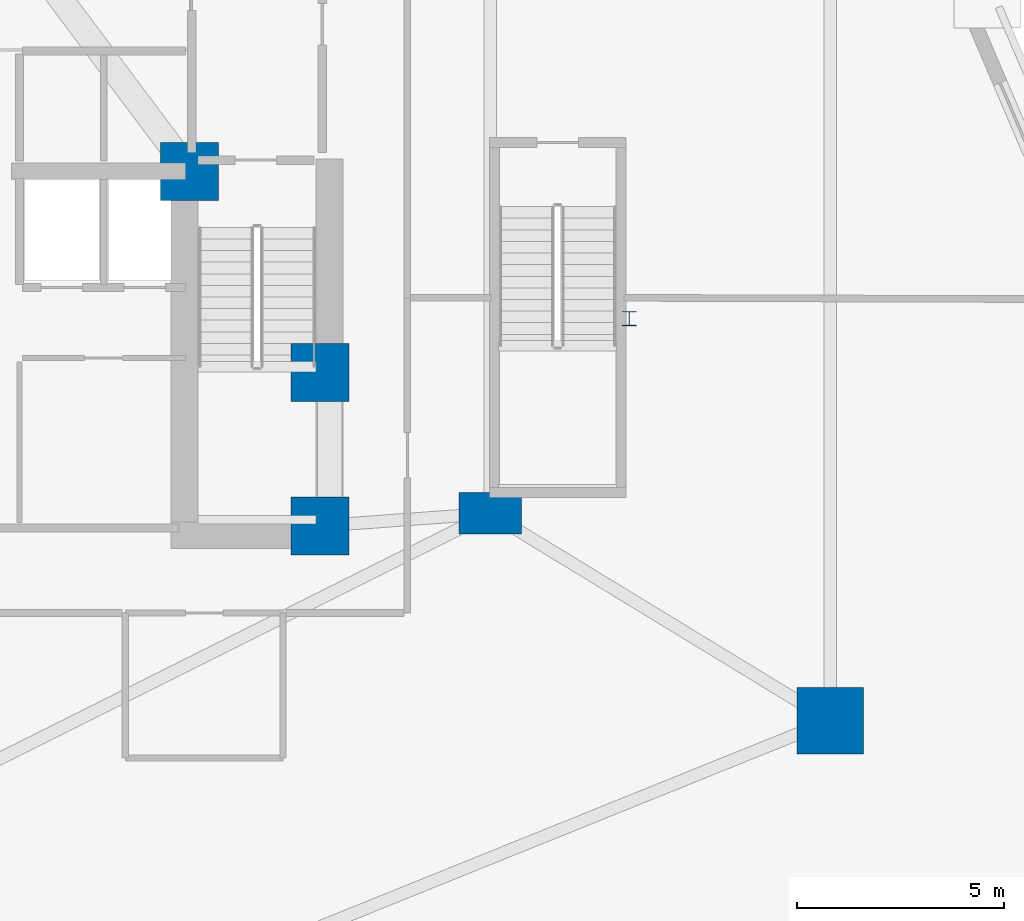
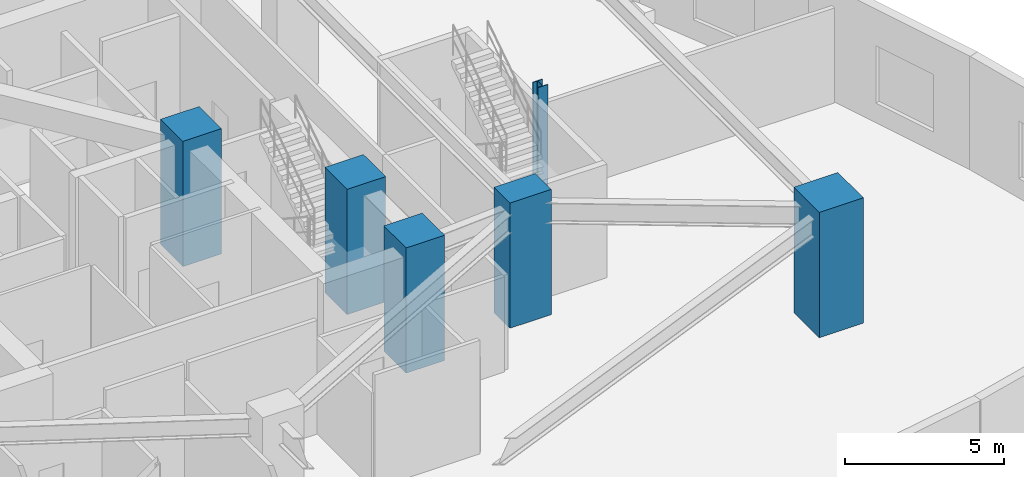
# One storey, part 2 of 19: 6 columns.
"""IFC4 building model written with IfcOpenShell, lengths in metres."""

import ifcopenshell
import ifcopenshell.guid

model = None  # the IFC model being written
_history = None  # IfcOwnerHistory: only IFC2X3 demands one
_inside = {}  # id of a spatial element -> (the spatial element, [elements in it])
_under = {}  # id of a project, library or spatial element -> (it, [spatial elements below it])
_declared = {}  # id of a project -> (the project, [libraries it declares])
_typed = {}  # id of a type object -> (the type object, [elements of that type])
_made_of = {}  # id of a material, layer set ... -> (it, [elements and type objects made of it])


def new_model(schema):
    """Start an empty IFC model of exactly this schema.

    Asked for "IFC4X3", IfcOpenShell would pick the latest addendum, in which some entities
    have other attributes; the version numbers below select the first issue.
    IFC2X3 requires an IfcOwnerHistory on every rooted entity: one is made here for all.
    """
    global model, _history
    if schema == "IFC4X3":
        model = ifcopenshell.file(schema_version=(4, 3, 0, 0))
    else:
        model = ifcopenshell.file(schema=schema)
    _inside.clear()
    _under.clear()
    _declared.clear()
    _typed.clear()
    _made_of.clear()
    _history = None
    if model.schema == "IFC2X3":
        org = make("IfcOrganization", Name="unknown")
        user = make(
            "IfcPersonAndOrganization",
            ThePerson=make("IfcPerson", FamilyName="unknown"),
            TheOrganization=org,
        )
        app = make(
            "IfcApplication",
            ApplicationDeveloper=org,
            Version="unknown",
            ApplicationFullName="unknown",
            ApplicationIdentifier="unknown",
        )
        _history = make(
            "IfcOwnerHistory",
            OwningUser=user,
            OwningApplication=app,
            ChangeAction="ADDED",
            CreationDate=0,
        )
    return model


def make(cls, **values):
    """One entity of the class cls with the attributes given. An attribute that is None is left unset."""
    return model.create_entity(
        cls, **{name: value for name, value in values.items() if value is not None}
    )


def rooted(cls, **values):
    """An entity with a GlobalId (a new one), such as an element, a storey or a relation."""
    return make(cls, GlobalId=ifcopenshell.guid.new(), OwnerHistory=_history, **values)


def si_unit(unit_type, name, prefix=None):
    """IfcSIUnit, for example si_unit("LENGTHUNIT", "METRE", prefix="MILLI")."""
    return make("IfcSIUnit", UnitType=unit_type, Prefix=prefix, Name=name)


def assignment(units):
    """IfcUnitAssignment: the units of a project."""
    return None if units is None else make("IfcUnitAssignment", Units=units)


def point(xyz):
    """IfcCartesianPoint."""
    return None if xyz is None else make("IfcCartesianPoint", Coordinates=xyz)


def direction(xyz):
    """IfcDirection."""
    return None if xyz is None else make("IfcDirection", DirectionRatios=xyz)


def frame(location, z_axis=None, x_axis=None):
    """IfcAxis2Placement3D, a coordinate frame: its origin and axes. An axis left out is left unset."""
    return make(
        "IfcAxis2Placement3D",
        Location=point(location),
        Axis=direction(z_axis),
        RefDirection=direction(x_axis),
    )


def frame_2d(location, x_axis=None):
    """IfcAxis2Placement2D, a coordinate frame in the plane: its origin and x axis."""
    return make(
        "IfcAxis2Placement2D", Location=point(location), RefDirection=direction(x_axis)
    )


def origin():
    """The frame at (0, 0, 0) with its axes left unset."""
    return frame((0.0, 0.0, 0.0))


def origin_2d():
    """The frame at (0, 0) in the plane with its x axis left unset."""
    return frame_2d((0.0, 0.0))


def place(relative_to, where):
    """IfcLocalPlacement: puts the frame where relative to a parent placement (None: the world)."""
    return make(
        "IfcLocalPlacement", PlacementRelTo=relative_to, RelativePlacement=where
    )


def context(
    kind, dimensions, precision=None, world=None, true_north=None, identifier=None
):
    """IfcGeometricRepresentationContext, for example the 3D "Model" context."""
    return make(
        "IfcGeometricRepresentationContext",
        ContextIdentifier=identifier,
        ContextType=kind,
        CoordinateSpaceDimension=dimensions,
        Precision=precision,
        WorldCoordinateSystem=world,
        TrueNorth=true_north,
    )


def subcontext(parent, identifier, kind, view, scale=None):
    """IfcGeometricRepresentationSubContext, for example "Body" below "Model"."""
    return make(
        "IfcGeometricRepresentationSubContext",
        ContextIdentifier=identifier,
        ContextType=kind,
        ParentContext=parent,
        TargetScale=scale,
        TargetView=view,
    )


def project(units=None, contexts=None):
    """IfcProject with its units and contexts."""
    return rooted(
        "IfcProject",
        Name="project",
        RepresentationContexts=contexts,
        UnitsInContext=assignment(units),
    )


def spatial(cls, under=None, at=None, **own):
    """A site, building, storey or space (cls), placed at a placement, below another one or the project."""
    s = rooted(cls, ObjectPlacement=at, **own)
    if under is not None:
        _under.setdefault(under.id(), (under, []))[1].append(s)
    return s


def profile(cls, at=None, kind="AREA", **sizes):
    """A parametric profile (cls). Its sizes go by their IFC names, for example OverallWidth=200.0."""
    return make(cls, ProfileType=kind, Position=at, **sizes)


def rectangle(**sizes):
    """IfcRectangleProfileDef."""
    return profile("IfcRectangleProfileDef", **sizes)


def i_section(**sizes):
    """IfcIShapeProfileDef."""
    return profile("IfcIShapeProfileDef", **sizes)


def extrude(swept, where, along, depth):
    """IfcExtrudedAreaSolid: the profile swept, set in the frame where, extruded along a direction by depth."""
    return make(
        "IfcExtrudedAreaSolid",
        SweptArea=swept,
        Position=where,
        ExtrudedDirection=direction(along),
        Depth=depth,
    )


def shape(context_of_items, identifier, shape_type, items):
    """IfcShapeRepresentation: the items that make up one representation, for example the "Body"."""
    return make(
        "IfcShapeRepresentation",
        ContextOfItems=context_of_items,
        RepresentationIdentifier=identifier,
        RepresentationType=shape_type,
        Items=items,
    )


def material(Name=None, Category=None):
    """IfcMaterial."""
    return make("IfcMaterial", Name=Name, Category=Category)


def material_profile(
    of_material, cross_section, Name=None, Category=None, Priority=None
):
    """IfcMaterialProfile: a cross section and its material."""
    return make(
        "IfcMaterialProfile",
        Name=Name,
        Material=of_material,
        Profile=cross_section,
        Priority=Priority,
        Category=Category,
    )


def profile_set(profiles, Name=None, composite=None):
    """IfcMaterialProfileSet."""
    return make(
        "IfcMaterialProfileSet",
        Name=Name,
        MaterialProfiles=profiles,
        CompositeProfile=composite,
    )


def made_of(thing, what):
    """Note that an element or type object is made of a material, layer set ...; save() writes the relation."""
    if what is not None:
        _made_of.setdefault(what.id(), (what, []))[1].append(thing)
    return thing


def type_object(cls, material=None, **own):
    """A type object (cls), such as IfcWallType, which elements share."""
    return made_of(rooted(cls, **own), material)


def element(
    cls,
    number,
    at=None,
    inside=None,
    cuts=None,
    type_object=None,
    material=None,
    context=None,
    identifier="Body",
    shape_type=None,
    held_by="IfcProductDefinitionShape",
    body=None,
    shapes=None,
    **own,
):
    """One element of the class cls, such as IfcWall. Its Tag is "e" and its number.

    at: its placement. inside: the storey or other place that contains it. cuts: it is an
    opening in that element (IfcRelVoidsElement). A single representation is given by context,
    identifier, shape_type and body (its items); several are given by shapes. held_by: the class
    of the entity that holds the representations. save() writes the other relations.
    """
    e = rooted(cls, Tag="e%d" % number, ObjectPlacement=at, **own)
    if body is not None:
        shapes = [shape(context, identifier, shape_type, body)]
    if shapes is not None:
        e.Representation = make(held_by, Representations=shapes)
    if inside is not None:
        _inside.setdefault(inside.id(), (inside, []))[1].append(e)
    if cuts is not None:
        rooted(
            "IfcRelVoidsElement", RelatingBuildingElement=cuts, RelatedOpeningElement=e
        )
    if type_object is not None:
        _typed.setdefault(type_object.id(), (type_object, []))[1].append(e)
    return made_of(e, material)


def aggregate(whole, parts):
    """IfcRelAggregates: a whole, such as a stair, and the parts it consists of."""
    return rooted("IfcRelAggregates", RelatingObject=whole, RelatedObjects=parts)


def save(model, path):
    """Write the relations noted so far, then the file.

    IfcRelAggregates (storeys below a building ...), IfcRelContainedInSpatialStructure (elements
    in a storey), IfcRelDefinesByType, IfcRelAssociatesMaterial and IfcRelDeclares: one each for
    every whole, place, type object, material and project.
    """
    for whole, parts in _under.values():
        aggregate(whole, parts)
    for where, things in _inside.values():
        rooted(
            "IfcRelContainedInSpatialStructure",
            RelatedElements=things,
            RelatingStructure=where,
        )
    for kind, things in _typed.values():
        rooted("IfcRelDefinesByType", RelatedObjects=things, RelatingType=kind)
    for what, things in _made_of.values():
        rooted("IfcRelAssociatesMaterial", RelatedObjects=things, RelatingMaterial=what)
    for by, libraries in _declared.values():
        rooted("IfcRelDeclares", RelatingContext=by, RelatedDefinitions=libraries)
    model.write(path)


model = new_model("IFC4")

# Units and contexts
model_context = context("Model", 3, precision=1e-05, world=origin(), true_north=direction((0.0, 1.0)))
body_context = subcontext(model_context, "Body", "Model", "MODEL_VIEW")
ifc_project = project(units=[si_unit("LENGTHUNIT", "METRE"), si_unit("AREAUNIT", "SQUARE_METRE"), si_unit("VOLUMEUNIT", "CUBIC_METRE"), si_unit("PLANEANGLEUNIT", "RADIAN"), si_unit("MASSUNIT", "GRAM", prefix="KILO")], contexts=[model_context])

# Site, building, storey
site_placement = place(None, origin())
site = spatial("IfcSite", under=ifc_project, at=site_placement, CompositionType="ELEMENT")
building_placement = place(site_placement, origin())
building = spatial("IfcBuilding", under=site, at=building_placement, Name="Miruveldt Soraemaru", CompositionType="ELEMENT")
storey_placement = place(building_placement, frame((0.0, 0.0, 19.199951171875)))
storey = spatial("IfcBuildingStorey", under=building, at=storey_placement, Name="L05", CompositionType="ELEMENT", Elevation=19.199951171875)

# Columns
ifc_material_1 = material(Name="Concrete C80/95 (80 MPa)", Category="concrete")
ifc_material_profile_1 = material_profile(ifc_material_1, rectangle(XDim=1.39990234375, YDim=1.39990234375, at=origin_2d()), Name="Concrete C80/95 (80 MPa)", Category="concrete")
ifc_profile_set_1 = profile_set([ifc_material_profile_1], Name="Concrete C80/95 (80 MPa)")
column_type_1 = type_object("IfcColumnType", Name="COL-MEGA-1400", PredefinedType="COLUMN", material=ifc_profile_set_1)
for number, where, z_axis, x_axis, name in (
    (1, (52.5, 35.5, 0.0), (0.0, 0.0, 1.0), (1.0, 0.0, 0.0), "L05 Structural Column CC3"),
    (2, (52.5, 39.199951171875, 0.0), (0.0, 0.0, 1.0), (1.0, 0.0, 0.0), "L05 Structural Column CC4"),
    (3, (49.35009765625, 44.050048828125, 0.0), (0.0, 0.0, 1.0), (1.0, 0.0, 0.0), "L05 Structural Column CC5"),
):
    element("IfcColumn", number, at=place(storey_placement, frame(where, z_axis=z_axis, x_axis=x_axis)), inside=storey, type_object=column_type_1, Name=name, PredefinedType="COLUMN", context=body_context, shape_type="SweptSolid", body=[
        extrude(rectangle(XDim=1.39990234375, YDim=1.39990234375, at=origin_2d()), origin(), (0.0, 0.0, 1.0), 4.800048828125),
    ])
ifc_material_profile_2 = material_profile(ifc_material_1, rectangle(XDim=1.60009765625, YDim=1.60009765625, at=origin_2d()), Name="Concrete C80/95 (80 MPa)", Category="concrete")
ifc_profile_set_2 = profile_set([ifc_material_profile_2], Name="Concrete C80/95 (80 MPa)")
column_type_2 = type_object("IfcColumnType", Name="COL-MEGA-1600", PredefinedType="COLUMN", material=ifc_profile_set_2)
column_1_placement = place(storey_placement, frame((64.800048828125, 30.800048828125, 0.0), z_axis=(0.0, 0.0, 1.0), x_axis=(1.0, 0.0, 0.0)))
element("IfcColumn", 4, at=column_1_placement, inside=storey, type_object=column_type_2, Name="L05 Structural Column PM03", PredefinedType="COLUMN", context=body_context, shape_type="SweptSolid", body=[
    extrude(rectangle(XDim=1.60009765625, YDim=1.60009765625, at=origin_2d()), origin(), (0.0, 0.0, 1.0), 4.800048828125),
])
ifc_material_2 = material(Name="Steel SM355 (355 MPa)", Category="steel")
ifc_material_profile_3 = material_profile(ifc_material_2, i_section(OverallWidth=0.35009765625, OverallDepth=0.35009765625, WebThickness=0.011962890625, FlangeThickness=0.01904296875, FilletRadius=0.02001953125, at=origin_2d()), Name="Steel SM355 (355 MPa)", Category="steel")
ifc_profile_set_3 = profile_set([ifc_material_profile_3], Name="Steel SM355 (355 MPa)")
column_type_3 = type_object("IfcColumnType", Name="COL-PIL-350", PredefinedType="PILASTER", material=ifc_profile_set_3)
column_2_placement = place(storey_placement, frame((59.949951171875, 40.5, 0.0), z_axis=(0.0, 0.0, 1.0), x_axis=(1.0, 0.0, 0.0)))
element("IfcColumn", 5, at=column_2_placement, inside=storey, type_object=column_type_3, Name="L05 Structural Column PIL2", PredefinedType="PILASTER", context=body_context, shape_type="SweptSolid", body=[
    extrude(i_section(OverallWidth=0.35009765625, OverallDepth=0.35009765625, WebThickness=0.011962890625, FlangeThickness=0.01904296875, FilletRadius=0.02001953125, at=origin_2d()), origin(), (0.0, 0.0, 1.0), 4.800048828125),
])
ifc_material_profile_4 = material_profile(ifc_material_1, rectangle(XDim=1.5, YDim=1.0, at=origin_2d()), Name="Concrete C80/95 (80 MPa)", Category="concrete")
ifc_profile_set_4 = profile_set([ifc_material_profile_4], Name="Concrete C80/95 (80 MPa)")
column_type_4 = type_object("IfcColumnType", Name="COL-TW-Z1A", PredefinedType="COLUMN", material=ifc_profile_set_4)
column_3_placement = place(storey_placement, frame((56.60009765625, 35.800048828125, 0.0), z_axis=(0.0, 0.0, 1.0), x_axis=(1.0, 0.0, 0.0)))
element("IfcColumn", 6, at=column_3_placement, inside=storey, type_object=column_type_4, Name="L05 Structural Column IR03", PredefinedType="COLUMN", context=body_context, shape_type="SweptSolid", body=[
    extrude(rectangle(XDim=1.5, YDim=1.0, at=origin_2d()), origin(), (0.0, 0.0, 1.0), 4.800048828125),
])

save(model, "model.ifc")
